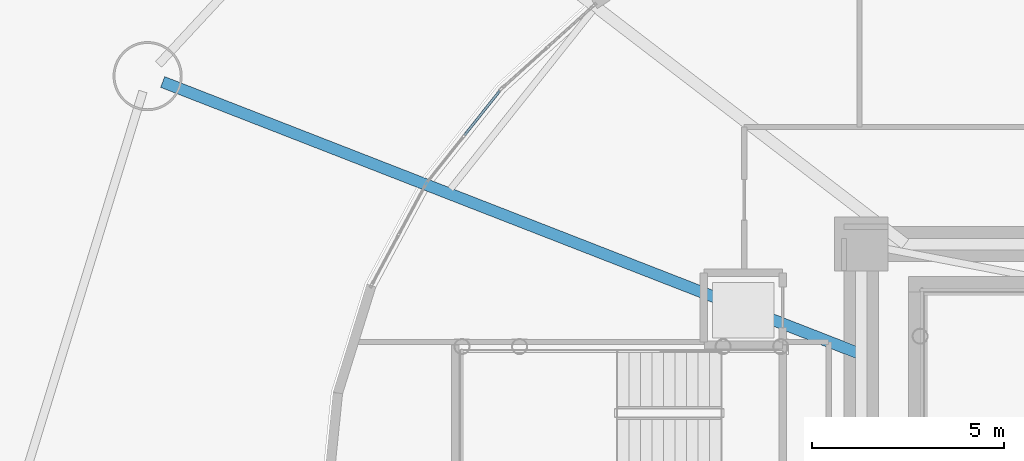
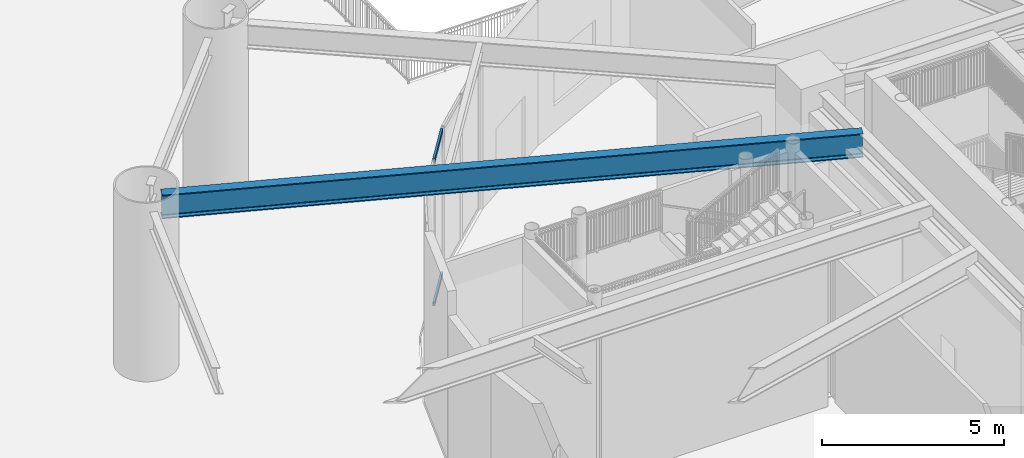
# One storey, part 20 of 46: 2 members, 1 beam, 1 element without a shape of its own.
"""IFC4 building model written with IfcOpenShell, lengths in metres."""

from ifc_helpers import new_model, si_unit, direction, frame, origin, origin_2d, place, context, subcontext, project, spatial, hollow_rectangle, i_section, extrude, source, transform, mapped, material, layer, layer_set, material_profile, profile_set, type_object, element, aggregate, save


model = new_model("IFC4")

# Units and contexts
model_context = context("Model", 3, precision=1e-05, world=origin(), true_north=direction((0.0, 1.0)))
body_context = subcontext(model_context, "Body", "Model", "MODEL_VIEW")
ifc_project = project(units=[si_unit("LENGTHUNIT", "METRE"), si_unit("AREAUNIT", "SQUARE_METRE"), si_unit("VOLUMEUNIT", "CUBIC_METRE"), si_unit("PLANEANGLEUNIT", "RADIAN"), si_unit("MASSUNIT", "GRAM", prefix="KILO")], contexts=[model_context])

# Site, building, storey
site_placement = place(None, origin())
site = spatial("IfcSite", under=ifc_project, at=site_placement, CompositionType="ELEMENT")
building_placement = place(site_placement, origin())
building = spatial("IfcBuilding", under=site, at=building_placement, Name="Linh Dai School and Residence Tower", CompositionType="ELEMENT")
storey_placement = place(building_placement, origin())
storey = spatial("IfcBuildingStorey", under=building, at=storey_placement, Name="L00", CompositionType="ELEMENT", Elevation=0.0)

# Beam
ifc_material_1 = material(Name="Structural Steel S355JR", Category="steel")
ifc_material_profile_1 = material_profile(ifc_material_1, i_section(OverallWidth=0.300048828125, OverallDepth=0.800048828125, WebThickness=0.017578125, FlangeThickness=0.032958984375, FilletRadius=0.030029296875, at=origin_2d()), Name="HEB 800")
ifc_profile_set_1 = profile_set([ifc_material_profile_1], Name="Structural Steel S355JR")
beam_type = type_object("IfcBeamType", Name="BM-RG8", PredefinedType="BEAM", material=ifc_profile_set_1)
beam_placement = place(storey_placement, frame((26.050048828125, 30.87841796875, 5.300048828125), z_axis=(-0.931723276589, 0.363169018312, 0.0), x_axis=(-0.363169018312, -0.931723276589, 0.0)))
element("IfcBeam", 1, at=beam_placement, inside=storey, type_object=beam_type, Name="L00 Primary Radial Floor Girder 08", PredefinedType="BEAM", context=body_context, shape_type="SweptSolid", body=[
    extrude(i_section(OverallWidth=0.300048828125, OverallDepth=0.800048828125, WebThickness=0.017578125, FlangeThickness=0.032958984375, FilletRadius=0.030029296875, at=origin_2d()), origin(), (0.0, 0.0, 1.0), 19.525634765625),
])

# Curtain wall, members
ifc_material_2 = material(Name="Aluminium Anodised Curtain Wall", Category="aluminium")
ifc_layer = layer(ifc_material_2, 0.179931640625)
ifc_layer_set = layer_set([ifc_layer], Name="Aluminium Anodised Curtain Wall")
curtain_wall_type = type_object("IfcCurtainWallType", Name="CW-SYS-1", PredefinedType="USERDEFINED", material=ifc_layer_set)
curtain_wall_placement = place(storey_placement, origin())
curtain_wall = element("IfcCurtainWall", 2, at=curtain_wall_placement, inside=storey, type_object=curtain_wall_type, Name="L00 CW1 Curtain Wall 17", ObjectType="UNITISED CURTAIN WALL", PredefinedType="USERDEFINED")
ifc_material_3 = material(Name="Aluminium Alloy 6063-T6", Category="aluminium")
ifc_material_profile_2 = material_profile(ifc_material_3, hollow_rectangle(XDim=0.06494140625, YDim=0.139892578125, WallThickness=0.00390625, at=origin_2d()), Name="RHS 140x65x4")
ifc_profile_set_2 = profile_set([ifc_material_profile_2], Name="Aluminium Alloy 6063-T6")
member_type = type_object("IfcMemberType", Name="CW-SYS-1-TRN", PredefinedType="USERDEFINED", material=ifc_profile_set_2)
shared_shape = source(origin(), body_context, "Body", "SweptSolid", [
    extrude(hollow_rectangle(XDim=0.06494140625, YDim=0.139892578125, WallThickness=0.00390625, at=origin_2d()), origin(), (0.0, 0.0, 1.0), 1.47265625),
])
member_1_placement = place(storey_placement, frame((15.717529296875, 36.58447265625, 0.032470703125), z_axis=(0.622306638591, 0.782773560849, 0.0), x_axis=(-0.782773560849, 0.622306638591, 0.0)))
member_1 = element("IfcMember", 3, at=member_1_placement, type_object=member_type, Name="CW1 transom 2.1", ObjectType="TRANSOM", PredefinedType="USERDEFINED", context=body_context, shape_type="MappedRepresentation", body=[
    mapped(shared_shape, transform((0.0, 0.0, 0.0), x_axis=(1.0, 0.0, 0.0), y_axis=(0.0, 1.0, 0.0), z_axis=(0.0, 0.0, 1.0), scale=1.0)),
])
member_2_placement = place(storey_placement, frame((15.717529296875, 36.58447265625, 4.8525390625), z_axis=(0.622306638591, 0.782773560849, 0.0), x_axis=(-0.782773560849, 0.622306638591, 0.0)))
member_2 = element("IfcMember", 4, at=member_2_placement, type_object=member_type, Name="CW1 transom 2.2", ObjectType="TRANSOM", PredefinedType="USERDEFINED", context=body_context, shape_type="MappedRepresentation", body=[
    mapped(shared_shape, transform((0.0, 0.0, 0.0), x_axis=(1.0, 0.0, 0.0), y_axis=(0.0, 1.0, 0.0), z_axis=(0.0, 0.0, 1.0), scale=1.0)),
])
aggregate(curtain_wall, [member_1, member_2])

save(model, "model.ifc")
